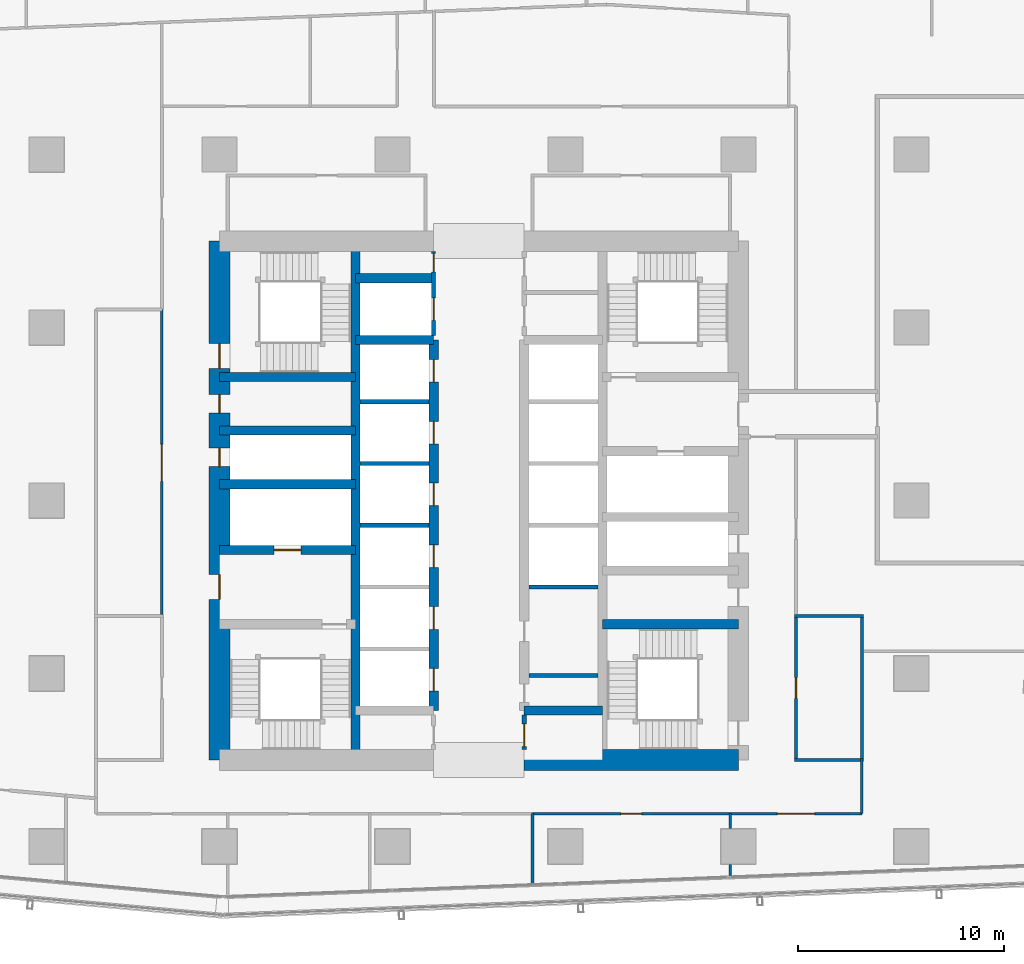
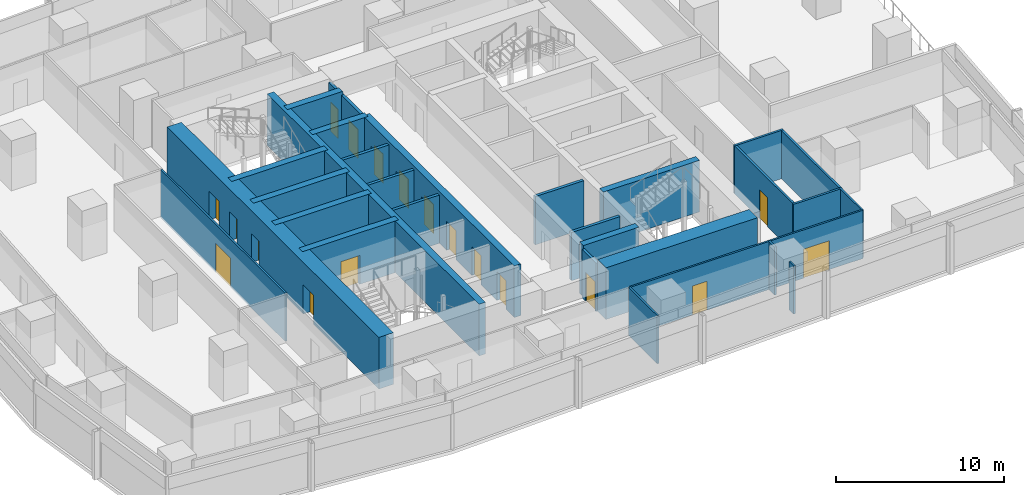
# One storey, part 29 of 40: 30 walls, 18 doors, 18 openings.
"""IFC4 building model written with IfcOpenShell, lengths in metres."""

from ifc_helpers import new_model, si_unit, direction, frame, frame_2d, origin, place, context, subcontext, project, spatial, rectangle, extrude, material, layer, layer_set, type_object, element, fill, save


model = new_model("IFC4")

# Units and contexts
model_context = context("Model", 3, precision=1e-05, world=origin(), true_north=direction((0.0, 1.0)))
body_context = subcontext(model_context, "Body", "Model", "MODEL_VIEW")
ifc_project = project(units=[si_unit("LENGTHUNIT", "METRE"), si_unit("AREAUNIT", "SQUARE_METRE"), si_unit("VOLUMEUNIT", "CUBIC_METRE"), si_unit("PLANEANGLEUNIT", "RADIAN"), si_unit("MASSUNIT", "GRAM", prefix="KILO")], contexts=[model_context])

# Site, building, storey
site_placement = place(None, origin())
site = spatial("IfcSite", under=ifc_project, at=site_placement, CompositionType="ELEMENT")
building_placement = place(site_placement, origin())
building = spatial("IfcBuilding", under=site, at=building_placement, Name="Rekha Terrace Tower", CompositionType="ELEMENT")
storey_placement = place(building_placement, frame((0.0, 0.0, 129.050048828125)))
storey = spatial("IfcBuildingStorey", under=building, at=storey_placement, Name="L32", CompositionType="ELEMENT", Elevation=129.050048828125)

# Wall
ifc_material_1 = material(Name="Concrete M70", Category="concrete")
ifc_layer_1 = layer(ifc_material_1, 0.449951171875)
ifc_layer_set_1 = layer_set([ifc_layer_1], Name="Concrete M70")
wall_type_1 = type_object("IfcWallType", Name="CI2 450 core internal shear wall", PredefinedType="SHEAR", material=ifc_layer_set_1)
wall_1_placement = place(storey_placement, frame((31.800048828125, 21.0, 0.0), z_axis=(0.0, 0.0, 1.0), x_axis=(0.0, 1.0, 0.0)))
element("IfcWall", 1, at=wall_1_placement, inside=storey, type_object=wall_type_1, Name="Core wall X318 L32", PredefinedType="SHEAR", context=body_context, shape_type="SweptSolid", body=[
    extrude(rectangle(XDim=25.199951171875, YDim=0.449951171875, at=frame_2d((12.60009765625, 0.0))), origin(), (0.0, 0.0, 1.0), 3.75),
])

# Wall, openings, doors
wall_2_placement = place(storey_placement, frame((35.60009765625, 23.39990234375, 0.0), z_axis=(0.0, 0.0, 1.0), x_axis=(0.0, 1.0, 0.0)))
wall_2 = element("IfcWall", 2, at=wall_2_placement, inside=storey, type_object=wall_type_1, Name="Core wall X356 L32", PredefinedType="SHEAR", context=body_context, shape_type="SweptSolid", body=[
    extrude(rectangle(XDim=18.0, YDim=0.449951171875, at=frame_2d((9.0, 0.0))), origin(), (0.0, 0.0, 1.0), 3.75),
])
opening_1_placement = place(wall_2_placement, frame((0.949951171875, 0.0, 0.0)))
opening_1 = element("IfcOpeningElement", 3, at=opening_1_placement, cuts=wall_2, Name="Opening LD1", PredefinedType="OPENING", context=body_context, shape_type="SweptSolid", body=[
    extrude(rectangle(XDim=1.10009765625, YDim=2.10009765625, at=frame_2d((0.550048828125, 1.050048828125))), frame((0.0, 0.23486328125, 0.0), z_axis=(0.0, -1.0, 0.0), x_axis=(1.0, 0.0, 0.0)), (0.0, 0.0, 1.0), 0.469970703125),
])
opening_2_placement = place(wall_2_placement, frame((3.949951171875, 0.0, 0.0)))
opening_2 = element("IfcOpeningElement", 4, at=opening_2_placement, cuts=wall_2, Name="Opening LD1", PredefinedType="OPENING", context=body_context, shape_type="SweptSolid", body=[
    extrude(rectangle(XDim=1.10009765625, YDim=2.10009765625, at=frame_2d((0.550048828125, 1.050048828125))), frame((0.0, 0.23486328125, 0.0), z_axis=(0.0, -1.0, 0.0), x_axis=(1.0, 0.0, 0.0)), (0.0, 0.0, 1.0), 0.469970703125),
])
opening_3_placement = place(wall_2_placement, frame((6.949951171875, 0.0, 0.0)))
opening_3 = element("IfcOpeningElement", 5, at=opening_3_placement, cuts=wall_2, Name="Opening LD1", PredefinedType="OPENING", context=body_context, shape_type="SweptSolid", body=[
    extrude(rectangle(XDim=1.10009765625, YDim=2.10009765625, at=frame_2d((0.550048828125, 1.050048828125))), frame((0.0, 0.23486328125, 0.0), z_axis=(0.0, -1.0, 0.0), x_axis=(1.0, 0.0, 0.0)), (0.0, 0.0, 1.0), 0.469970703125),
])
opening_4_placement = place(wall_2_placement, frame((9.949951171875, 0.0, 0.0)))
opening_4 = element("IfcOpeningElement", 6, at=opening_4_placement, cuts=wall_2, Name="Opening LD1", PredefinedType="OPENING", context=body_context, shape_type="SweptSolid", body=[
    extrude(rectangle(XDim=1.10009765625, YDim=2.10009765625, at=frame_2d((0.550048828125, 1.050048828125))), frame((0.0, 0.23486328125, 0.0), z_axis=(0.0, -1.0, 0.0), x_axis=(1.0, 0.0, 0.0)), (0.0, 0.0, 1.0), 0.469970703125),
])
opening_5_placement = place(wall_2_placement, frame((12.949951171875, 0.0, 0.0)))
opening_5 = element("IfcOpeningElement", 7, at=opening_5_placement, cuts=wall_2, Name="Opening LD1", PredefinedType="OPENING", context=body_context, shape_type="SweptSolid", body=[
    extrude(rectangle(XDim=1.10009765625, YDim=2.10009765625, at=frame_2d((0.550048828125, 1.050048828125))), frame((0.0, 0.23486328125, 0.0), z_axis=(0.0, -1.0, 0.0), x_axis=(1.0, 0.0, 0.0)), (0.0, 0.0, 1.0), 0.469970703125),
])
opening_6_placement = place(wall_2_placement, frame((15.949951171875, 0.0, 0.0)))
opening_6 = element("IfcOpeningElement", 8, at=opening_6_placement, cuts=wall_2, Name="Opening LD1", PredefinedType="OPENING", context=body_context, shape_type="SweptSolid", body=[
    extrude(rectangle(XDim=1.10009765625, YDim=2.10009765625, at=frame_2d((0.550048828125, 1.050048828125))), frame((0.0, 0.23486328125, 0.0), z_axis=(0.0, -1.0, 0.0), x_axis=(1.0, 0.0, 0.0)), (0.0, 0.0, 1.0), 0.469970703125),
])
ifc_material_2 = material(Name="Stainless steel sliding landing door", Category="steel")
door_type_1 = type_object("IfcDoorType", Name="LD1 1100x2100 lift landing door", OperationType="SLIDING_TO_LEFT", PredefinedType="USERDEFINED", material=ifc_material_2)
door_1_placement = place(opening_1_placement, origin())
door_1 = element("IfcDoor", 9, at=door_1_placement, inside=storey, type_object=door_type_1, Name="Lift B1 landing door L32", ObjectType="LIFT LANDING DOOR", OperationType="SLIDING_TO_LEFT", OverallHeight=2.10009765625, OverallWidth=1.10009765625, PredefinedType="USERDEFINED", context=body_context, shape_type="SweptSolid", body=[
    extrude(rectangle(XDim=1.10009765625, YDim=2.10009765625, at=frame_2d((0.550048828125, 1.050048828125))), frame((0.0, 0.02490234375, 0.0), z_axis=(0.0, -1.0, 0.0), x_axis=(1.0, 0.0, 0.0)), (0.0, 0.0, 1.0), 0.050048828125),
])
fill(opening_1, door_1)
door_2_placement = place(opening_2_placement, origin())
door_2 = element("IfcDoor", 10, at=door_2_placement, inside=storey, type_object=door_type_1, Name="Lift B2 landing door L32", ObjectType="LIFT LANDING DOOR", OperationType="SLIDING_TO_LEFT", OverallHeight=2.10009765625, OverallWidth=1.10009765625, PredefinedType="USERDEFINED", context=body_context, shape_type="SweptSolid", body=[
    extrude(rectangle(XDim=1.10009765625, YDim=2.10009765625, at=frame_2d((0.550048828125, 1.050048828125))), frame((0.0, 0.02490234375, 0.0), z_axis=(0.0, -1.0, 0.0), x_axis=(1.0, 0.0, 0.0)), (0.0, 0.0, 1.0), 0.050048828125),
])
fill(opening_2, door_2)
door_3_placement = place(opening_3_placement, origin())
door_3 = element("IfcDoor", 11, at=door_3_placement, inside=storey, type_object=door_type_1, Name="Lift B3 landing door L32", ObjectType="LIFT LANDING DOOR", OperationType="SLIDING_TO_LEFT", OverallHeight=2.10009765625, OverallWidth=1.10009765625, PredefinedType="USERDEFINED", context=body_context, shape_type="SweptSolid", body=[
    extrude(rectangle(XDim=1.10009765625, YDim=2.10009765625, at=frame_2d((0.550048828125, 1.050048828125))), frame((0.0, 0.02490234375, 0.0), z_axis=(0.0, -1.0, 0.0), x_axis=(1.0, 0.0, 0.0)), (0.0, 0.0, 1.0), 0.050048828125),
])
fill(opening_3, door_3)
door_4_placement = place(opening_4_placement, origin())
door_4 = element("IfcDoor", 12, at=door_4_placement, inside=storey, type_object=door_type_1, Name="Lift B4 landing door L32", ObjectType="LIFT LANDING DOOR", OperationType="SLIDING_TO_LEFT", OverallHeight=2.10009765625, OverallWidth=1.10009765625, PredefinedType="USERDEFINED", context=body_context, shape_type="SweptSolid", body=[
    extrude(rectangle(XDim=1.10009765625, YDim=2.10009765625, at=frame_2d((0.550048828125, 1.050048828125))), frame((0.0, 0.02490234375, 0.0), z_axis=(0.0, -1.0, 0.0), x_axis=(1.0, 0.0, 0.0)), (0.0, 0.0, 1.0), 0.050048828125),
])
fill(opening_4, door_4)
door_5_placement = place(opening_5_placement, origin())
door_5 = element("IfcDoor", 13, at=door_5_placement, inside=storey, type_object=door_type_1, Name="Lift B5 landing door L32", ObjectType="LIFT LANDING DOOR", OperationType="SLIDING_TO_LEFT", OverallHeight=2.10009765625, OverallWidth=1.10009765625, PredefinedType="USERDEFINED", context=body_context, shape_type="SweptSolid", body=[
    extrude(rectangle(XDim=1.10009765625, YDim=2.10009765625, at=frame_2d((0.550048828125, 1.050048828125))), frame((0.0, 0.02490234375, 0.0), z_axis=(0.0, -1.0, 0.0), x_axis=(1.0, 0.0, 0.0)), (0.0, 0.0, 1.0), 0.050048828125),
])
fill(opening_5, door_5)
door_6_placement = place(opening_6_placement, origin())
door_6 = element("IfcDoor", 14, at=door_6_placement, inside=storey, type_object=door_type_1, Name="Lift B6 landing door L32", ObjectType="LIFT LANDING DOOR", OperationType="SLIDING_TO_LEFT", OverallHeight=2.10009765625, OverallWidth=1.10009765625, PredefinedType="USERDEFINED", context=body_context, shape_type="SweptSolid", body=[
    extrude(rectangle(XDim=1.10009765625, YDim=2.10009765625, at=frame_2d((0.550048828125, 1.050048828125))), frame((0.0, 0.02490234375, 0.0), z_axis=(0.0, -1.0, 0.0), x_axis=(1.0, 0.0, 0.0)), (0.0, 0.0, 1.0), 0.050048828125),
])
fill(opening_6, door_6)

# Walls
for number, where, z_axis, x_axis, name in (
    (15, (31.800048828125, 41.39990234375, 0.0), (0.0, 0.0, 1.0), (1.0, 0.0, 0.0), "Core wall Y414W L32"),
    (16, (31.800048828125, 44.39990234375, 0.0), (0.0, 0.0, 1.0), (1.0, 0.0, 0.0), "Core wall Y444W L32"),
    (17, (40.0, 23.39990234375, 0.0), (0.0, 0.0, 1.0), (1.0, 0.0, 0.0), "Core wall Y234E L32"),
):
    element("IfcWall", number, at=place(storey_placement, frame(where, z_axis=z_axis, x_axis=x_axis)), inside=storey, type_object=wall_type_1, Name=name, PredefinedType="SHEAR", context=body_context, shape_type="SweptSolid", body=[
        extrude(rectangle(XDim=3.800048828125, YDim=0.449951171875, at=frame_2d((1.89990234375, 0.0))), origin(), (0.0, 0.0, 1.0), 3.75),
    ])

# Wall, opening, door
wall_3_placement = place(storey_placement, frame((25.199951171875, 31.199951171875, 0.0), z_axis=(0.0, 0.0, 1.0), x_axis=(1.0, 0.0, 0.0)))
wall_3 = element("IfcWall", 18, at=wall_3_placement, inside=storey, type_object=wall_type_1, Name="Core wall Y312W L32", PredefinedType="SHEAR", context=body_context, shape_type="SweptSolid", body=[
    extrude(rectangle(XDim=6.60009765625, YDim=0.449951171875, at=frame_2d((3.300048828125, 0.0))), origin(), (0.0, 0.0, 1.0), 3.75),
])
opening_7_placement = place(wall_3_placement, frame((2.64990234375, 0.0, 0.0)))
opening_7 = element("IfcOpeningElement", 19, at=opening_7_placement, cuts=wall_3, Name="Opening LD2", PredefinedType="OPENING", context=body_context, shape_type="SweptSolid", body=[
    extrude(rectangle(XDim=1.300048828125, YDim=2.10009765625, at=frame_2d((0.64990234375, 1.050048828125))), frame((0.0, 0.23486328125, 0.0), z_axis=(0.0, -1.0, 0.0), x_axis=(1.0, 0.0, 0.0)), (0.0, 0.0, 1.0), 0.469970703125),
])
door_type_2 = type_object("IfcDoorType", Name="LD2 1300x2100 fire lift landing door", OperationType="SLIDING_TO_LEFT", PredefinedType="USERDEFINED", material=ifc_material_2)
door_7_placement = place(opening_7_placement, origin())
door_7 = element("IfcDoor", 20, at=door_7_placement, inside=storey, type_object=door_type_2, Name="Lift FL1 landing door L32", ObjectType="LIFT LANDING DOOR", OperationType="SLIDING_TO_LEFT", OverallHeight=2.10009765625, OverallWidth=1.300048828125, PredefinedType="USERDEFINED", context=body_context, shape_type="SweptSolid", body=[
    extrude(rectangle(XDim=1.300048828125, YDim=2.10009765625, at=frame_2d((0.64990234375, 1.050048828125))), frame((0.0, 0.02490234375, 0.0), z_axis=(0.0, -1.0, 0.0), x_axis=(1.0, 0.0, 0.0)), (0.0, 0.0, 1.0), 0.050048828125),
])
fill(opening_7, door_7)

# Walls
for number, where, z_axis, x_axis, name in (
    (21, (25.199951171875, 34.39990234375, 0.0), (0.0, 0.0, 1.0), (1.0, 0.0, 0.0), "Core wall Y344W L32"),
    (22, (25.199951171875, 37.0, 0.0), (0.0, 0.0, 1.0), (1.0, 0.0, 0.0), "Core wall Y370W L32"),
    (23, (25.199951171875, 39.60009765625, 0.0), (0.0, 0.0, 1.0), (1.0, 0.0, 0.0), "Core wall Y396W L32"),
):
    element("IfcWall", number, at=place(storey_placement, frame(where, z_axis=z_axis, x_axis=x_axis)), inside=storey, type_object=wall_type_1, Name=name, PredefinedType="SHEAR", context=body_context, shape_type="SweptSolid", body=[
        extrude(rectangle(XDim=6.60009765625, YDim=0.449951171875, at=frame_2d((3.300048828125, 0.0))), origin(), (0.0, 0.0, 1.0), 3.75),
    ])
wall_4_placement = place(storey_placement, frame((43.800048828125, 27.60009765625, 0.0), z_axis=(0.0, 0.0, 1.0), x_axis=(1.0, 0.0, 0.0)))
element("IfcWall", 24, at=wall_4_placement, inside=storey, type_object=wall_type_1, Name="Core wall Y276E L32", PredefinedType="SHEAR", context=body_context, shape_type="SweptSolid", body=[
    extrude(rectangle(XDim=6.599853515625, YDim=0.449951171875, at=frame_2d((3.2998046875, 0.0))), origin(), (0.0, 0.0, 1.0), 3.75),
])
ifc_layer_2 = layer(ifc_material_1, 1.0)
ifc_layer_set_2 = layer_set([ifc_layer_2], Name="Concrete M70")
wall_type_2 = type_object("IfcWallType", Name="SW2 1000 core outer shear wall", PredefinedType="SHEAR", material=ifc_layer_set_2)
wall_5_placement = place(storey_placement, frame((40.0, 21.0, 0.0), z_axis=(0.0, 0.0, 1.0), x_axis=(1.0, 0.0, 0.0)))
element("IfcWall", 25, at=wall_5_placement, inside=storey, type_object=wall_type_2, Name="Core wall S2 L32", PredefinedType="SHEAR", context=body_context, shape_type="SweptSolid", body=[
    extrude(rectangle(XDim=10.39990234375, YDim=1.0, at=frame_2d((5.199951171875, 0.0))), origin(), (0.0, 0.0, 1.0), 3.75),
])

# Wall, openings, doors
wall_6_placement = place(storey_placement, frame((25.199951171875, 21.0, 0.0), z_axis=(0.0, 0.0, 1.0), x_axis=(0.0, 1.0, 0.0)))
wall_6 = element("IfcWall", 26, at=wall_6_placement, inside=storey, type_object=wall_type_2, Name="Core wall W L32", PredefinedType="SHEAR", context=body_context, shape_type="SweptSolid", body=[
    extrude(rectangle(XDim=25.199951171875, YDim=1.0, at=frame_2d((12.60009765625, 0.0))), origin(), (0.0, 0.0, 1.0), 3.75),
])
opening_8_placement = place(wall_6_placement, frame((7.800048828125, 0.0, 0.0)))
opening_8 = element("IfcOpeningElement", 27, at=opening_8_placement, cuts=wall_6, Name="Opening D2", PredefinedType="OPENING", context=body_context, shape_type="SweptSolid", body=[
    extrude(rectangle(XDim=1.199951171875, YDim=2.10009765625, at=frame_2d((0.60009765625, 1.050048828125))), frame((0.0, 0.510009765625, 0.0), z_axis=(0.0, -1.0, 0.0), x_axis=(1.0, 0.0, 0.0)), (0.0, 0.0, 1.0), 1.02001953125),
])
opening_9_placement = place(wall_6_placement, frame((14.25, 0.0, 0.0)))
opening_9 = element("IfcOpeningElement", 28, at=opening_9_placement, cuts=wall_6, Name="Opening D5", PredefinedType="OPENING", context=body_context, shape_type="SweptSolid", body=[
    extrude(rectangle(XDim=0.89990234375, YDim=2.10009765625, at=frame_2d((0.449951171875, 1.050048828125))), frame((0.0, 0.510009765625, 0.0), z_axis=(0.0, -1.0, 0.0), x_axis=(1.0, 0.0, 0.0)), (0.0, 0.0, 1.0), 1.02001953125),
])
opening_10_placement = place(wall_6_placement, frame((16.85009765625, 0.0, 0.0)))
opening_10 = element("IfcOpeningElement", 29, at=opening_10_placement, cuts=wall_6, Name="Opening D5", PredefinedType="OPENING", context=body_context, shape_type="SweptSolid", body=[
    extrude(rectangle(XDim=0.89990234375, YDim=2.10009765625, at=frame_2d((0.449951171875, 1.050048828125))), frame((0.0, 0.510009765625, 0.0), z_axis=(0.0, -1.0, 0.0), x_axis=(1.0, 0.0, 0.0)), (0.0, 0.0, 1.0), 1.02001953125),
])
opening_11_placement = place(wall_6_placement, frame((19.02490234375, 0.0, 0.0)))
opening_11 = element("IfcOpeningElement", 30, at=opening_11_placement, cuts=wall_6, Name="Opening D1", PredefinedType="OPENING", context=body_context, shape_type="SweptSolid", body=[
    extrude(rectangle(XDim=1.199951171875, YDim=2.10009765625, at=frame_2d((0.60009765625, 1.050048828125))), frame((0.0, 0.510009765625, 0.0), z_axis=(0.0, -1.0, 0.0), x_axis=(1.0, 0.0, 0.0)), (0.0, 0.0, 1.0), 1.02001953125),
])
ifc_material_3 = material(Name="Steel fire door", Category="steel")
door_type_3 = type_object("IfcDoorType", Name="D1 1200x2100 stair fire door", OperationType="SINGLE_SWING_RIGHT", PredefinedType="DOOR", material=ifc_material_3)
door_8_placement = place(opening_11_placement, origin())
door_8 = element("IfcDoor", 31, at=door_8_placement, inside=storey, type_object=door_type_3, Name="Stair ST4 door L32", OperationType="SINGLE_SWING_RIGHT", OverallHeight=2.10009765625, OverallWidth=1.199951171875, PredefinedType="DOOR", context=body_context, shape_type="SweptSolid", body=[
    extrude(rectangle(XDim=1.199951171875, YDim=2.10009765625, at=frame_2d((0.60009765625, 1.050048828125))), frame((0.0, 0.02490234375, 0.0), z_axis=(0.0, -1.0, 0.0), x_axis=(1.0, 0.0, 0.0)), (0.0, 0.0, 1.0), 0.050048828125),
])
fill(opening_11, door_8)
door_type_4 = type_object("IfcDoorType", Name="D2 1200x2100 firefighting lobby door", OperationType="SINGLE_SWING_LEFT", PredefinedType="DOOR", material=ifc_material_3)
door_9_placement = place(opening_8_placement, origin())
door_9 = element("IfcDoor", 32, at=door_9_placement, inside=storey, type_object=door_type_4, Name="Door flb1 L32", OperationType="SINGLE_SWING_LEFT", OverallHeight=2.10009765625, OverallWidth=1.199951171875, PredefinedType="DOOR", context=body_context, shape_type="SweptSolid", body=[
    extrude(rectangle(XDim=1.199951171875, YDim=2.10009765625, at=frame_2d((0.60009765625, 1.050048828125))), frame((0.0, 0.02490234375, 0.0), z_axis=(0.0, -1.0, 0.0), x_axis=(1.0, 0.0, 0.0)), (0.0, 0.0, 1.0), 0.050048828125),
])
fill(opening_8, door_9)
door_type_5 = type_object("IfcDoorType", Name="D5 900x2100 riser access door", OperationType="SINGLE_SWING_LEFT", PredefinedType="DOOR", material=ifc_material_3)
door_10_placement = place(opening_9_placement, origin())
door_10 = element("IfcDoor", 33, at=door_10_placement, inside=storey, type_object=door_type_5, Name="Door rs1 L32", OperationType="SINGLE_SWING_LEFT", OverallHeight=2.10009765625, OverallWidth=0.89990234375, PredefinedType="DOOR", context=body_context, shape_type="SweptSolid", body=[
    extrude(rectangle(XDim=0.89990234375, YDim=2.10009765625, at=frame_2d((0.449951171875, 1.050048828125))), frame((0.0, 0.02490234375, 0.0), z_axis=(0.0, -1.0, 0.0), x_axis=(1.0, 0.0, 0.0)), (0.0, 0.0, 1.0), 0.050048828125),
])
fill(opening_9, door_10)
door_11_placement = place(opening_10_placement, origin())
door_11 = element("IfcDoor", 34, at=door_11_placement, inside=storey, type_object=door_type_5, Name="Door elw L32", OperationType="SINGLE_SWING_LEFT", OverallHeight=2.10009765625, OverallWidth=0.89990234375, PredefinedType="DOOR", context=body_context, shape_type="SweptSolid", body=[
    extrude(rectangle(XDim=0.89990234375, YDim=2.10009765625, at=frame_2d((0.449951171875, 1.050048828125))), frame((0.0, 0.02490234375, 0.0), z_axis=(0.0, -1.0, 0.0), x_axis=(1.0, 0.0, 0.0)), (0.0, 0.0, 1.0), 0.050048828125),
])
fill(opening_10, door_11)

# Walls
ifc_material_4 = material(Name="Concrete block masonry, 1 hour", Category="masonry")
ifc_layer_3 = layer(ifc_material_4, 0.14990234375)
ifc_layer_set_3 = layer_set([ifc_layer_3], Name="Concrete block masonry, 1 hour")
wall_type_3 = type_object("IfcWallType", Name="WP2 150 tenancy partition", PredefinedType="PARTITIONING", material=ifc_layer_set_3)
for number, where, z_axis, x_axis, name in (
    (35, (53.125, 21.0, 0.0), (0.0, 0.0, 1.0), (1.0, 0.0, 0.0), "Men's WC wall L32"),
    (36, (53.125, 28.0, 0.0), (0.0, 0.0, 1.0), (1.0, 0.0, 0.0), "Men's WC wall L32"),
):
    element("IfcWall", number, at=place(storey_placement, frame(where, z_axis=z_axis, x_axis=x_axis)), inside=storey, type_object=wall_type_3, Name=name, PredefinedType="PARTITIONING", context=body_context, shape_type="SweptSolid", body=[
        extrude(rectangle(XDim=3.35009765625, YDim=0.14990234375, at=frame_2d((1.675048828125, 0.0))), origin(), (0.0, 0.0, 1.0), 3.5),
    ])

# Wall, opening, door
wall_7_placement = place(storey_placement, frame((53.199951171875, 21.074951171875, 0.0), z_axis=(0.0, 0.0, 1.0), x_axis=(0.0, 1.0, 0.0)))
wall_7 = element("IfcWall", 37, at=wall_7_placement, inside=storey, type_object=wall_type_3, Name="Men's WC wall L32", PredefinedType="PARTITIONING", context=body_context, shape_type="SweptSolid", body=[
    extrude(rectangle(XDim=6.85009765625, YDim=0.14990234375, at=frame_2d((3.425048828125, 0.0))), origin(), (0.0, 0.0, 1.0), 3.5),
])
opening_12_placement = place(wall_7_placement, frame((2.925048828125, 0.0, 0.0)))
opening_12 = element("IfcOpeningElement", 38, at=opening_12_placement, cuts=wall_7, Name="Opening D3", PredefinedType="OPENING", context=body_context, shape_type="SweptSolid", body=[
    extrude(rectangle(XDim=1.0, YDim=2.10009765625, at=frame_2d((0.5, 1.050048828125))), frame((0.0, 0.0849609375, 0.0), z_axis=(0.0, -1.0, 0.0), x_axis=(1.0, 0.0, 0.0)), (0.0, 0.0, 1.0), 0.169921875),
])
ifc_material_5 = material(Name="Laminated timber fire door", Category="wood")
door_type_6 = type_object("IfcDoorType", Name="D3 1000x2100 WC door", OperationType="SINGLE_SWING_LEFT", PredefinedType="DOOR", material=ifc_material_5)
door_12_placement = place(opening_12_placement, origin())
door_12 = element("IfcDoor", 39, at=door_12_placement, inside=storey, type_object=door_type_6, Name="Door men's wc L32", OperationType="SINGLE_SWING_LEFT", OverallHeight=2.10009765625, OverallWidth=1.0, PredefinedType="DOOR", context=body_context, shape_type="SweptSolid", body=[
    extrude(rectangle(XDim=1.0, YDim=2.10009765625, at=frame_2d((0.5, 1.050048828125))), frame((0.0, 0.02490234375, 0.0), z_axis=(0.0, -1.0, 0.0), x_axis=(1.0, 0.0, 0.0)), (0.0, 0.0, 1.0), 0.050048828125),
])
fill(opening_12, door_12)

# Walls
wall_8_placement = place(storey_placement, frame((56.39990234375, 21.074951171875, 0.0), z_axis=(0.0, 0.0, 1.0), x_axis=(0.0, 1.0, 0.0)))
element("IfcWall", 40, at=wall_8_placement, inside=storey, type_object=wall_type_3, Name="Men's WC wall L32", PredefinedType="PARTITIONING", context=body_context, shape_type="SweptSolid", body=[
    extrude(rectangle(XDim=6.85009765625, YDim=0.14990234375, at=frame_2d((3.425048828125, 0.0))), origin(), (0.0, 0.0, 1.0), 3.5),
])
ifc_material_6 = material(Name="Two layers of fire-rated gypsum board each side on steel studs, acoustic quilt, 1 hour", Category="steel")
ifc_layer_4 = layer(ifc_material_6, 0.125)
ifc_layer_set_4 = layer_set([ifc_layer_4], Name="Two layers of fire-rated gypsum board each side on steel studs, acoustic quilt, 1 hour")
wall_type_4 = type_object("IfcWallType", Name="WP3 125 office partition", PredefinedType="PARTITIONING", material=ifc_layer_set_4)
wall_9_placement = place(storey_placement, frame((40.40087890625, 14.998046875, 0.0), z_axis=(0.0, 0.0, 1.0), x_axis=(0.0, 1.0, 0.0)))
element("IfcWall", 41, at=wall_9_placement, inside=storey, type_object=wall_type_4, Name="Partition L32-11", PredefinedType="PARTITIONING", context=body_context, shape_type="SweptSolid", body=[
    extrude(rectangle(XDim=3.40185546875, YDim=0.125, at=frame_2d((1.700927734375, 0.0))), origin(), (0.0, 0.0, 1.0), 3.5),
])

# Wall, opening, door
wall_10_placement = place(storey_placement, frame((40.40087890625, 18.39990234375, 0.0), z_axis=(0.0, 0.0, 1.0), x_axis=(1.0, 0.0, 0.0)))
wall_10 = element("IfcWall", 42, at=wall_10_placement, inside=storey, type_object=wall_type_4, Name="Partition L32-11", PredefinedType="PARTITIONING", context=body_context, shape_type="SweptSolid", body=[
    extrude(rectangle(XDim=9.59716796875, YDim=0.125, at=frame_2d((4.798583984375, 0.0))), origin(), (0.0, 0.0, 1.0), 3.5),
])
opening_13_placement = place(wall_10_placement, frame((4.298095703125, 0.0, 0.0)))
opening_13 = element("IfcOpeningElement", 43, at=opening_13_placement, cuts=wall_10, Name="Opening D9", PredefinedType="OPENING", context=body_context, shape_type="SweptSolid", body=[
    extrude(rectangle(XDim=1.0, YDim=2.10009765625, at=frame_2d((0.5, 1.050048828125))), frame((0.0, 0.072509765625, 0.0), z_axis=(0.0, -1.0, 0.0), x_axis=(1.0, 0.0, 0.0)), (0.0, 0.0, 1.0), 0.14501953125),
])
ifc_material_7 = material(Name="Timber fire door", Category="wood")
door_type_7 = type_object("IfcDoorType", Name="D9 1000x2100 office door", OperationType="SINGLE_SWING_LEFT", PredefinedType="DOOR", material=ifc_material_7)
door_13_placement = place(opening_13_placement, origin())
door_13 = element("IfcDoor", 44, at=door_13_placement, inside=storey, type_object=door_type_7, Name="Door office L32", OperationType="SINGLE_SWING_LEFT", OverallHeight=2.10009765625, OverallWidth=1.0, PredefinedType="DOOR", context=body_context, shape_type="SweptSolid", body=[
    extrude(rectangle(XDim=1.0, YDim=2.10009765625, at=frame_2d((0.5, 1.050048828125))), frame((0.0, 0.02490234375, 0.0), z_axis=(0.0, -1.0, 0.0), x_axis=(1.0, 0.0, 0.0)), (0.0, 0.0, 1.0), 0.050048828125),
])
fill(opening_13, door_13)

# Walls
wall_11_placement = place(storey_placement, frame((49.998046875, 18.39990234375, 0.0), z_axis=(0.0, 0.0, 1.0), x_axis=(0.0, -1.0, 0.0)))
element("IfcWall", 45, at=wall_11_placement, inside=storey, type_object=wall_type_4, Name="Partition L32-11", PredefinedType="PARTITIONING", context=body_context, shape_type="SweptSolid", body=[
    extrude(rectangle(XDim=0.72998046875, YDim=0.125, at=frame_2d((0.364990234375, 0.0))), origin(), (0.0, 0.0, 1.0), 3.5),
])
wall_12_placement = place(storey_placement, frame((49.998046875, 15.929931640625, 0.0), z_axis=(0.0, 0.0, 1.0), x_axis=(0.0, -1.0, 0.0)))
element("IfcWall", 46, at=wall_12_placement, inside=storey, type_object=wall_type_4, Name="Partition L32-11", PredefinedType="PARTITIONING", context=body_context, shape_type="SweptSolid", body=[
    extrude(rectangle(XDim=0.529052734375, YDim=0.125, at=frame_2d((0.2646484375, 0.0))), origin(), (0.0, 0.0, 1.0), 3.5),
])

# Wall, opening, door
wall_13_placement = place(storey_placement, frame((49.998046875, 18.39990234375, 0.0), z_axis=(0.0, 0.0, 1.0), x_axis=(1.0, 0.0, 0.0)))
wall_13 = element("IfcWall", 47, at=wall_13_placement, inside=storey, type_object=wall_type_4, Name="Partition L32-12", PredefinedType="PARTITIONING", context=body_context, shape_type="SweptSolid", body=[
    extrude(rectangle(XDim=6.40185546875, YDim=0.125, at=frame_2d((3.200927734375, 0.0))), origin(), (0.0, 0.0, 1.0), 3.5),
])
opening_14_placement = place(wall_13_placement, frame((2.301025390625, 0.0, 0.0)))
opening_14 = element("IfcOpeningElement", 48, at=opening_14_placement, cuts=wall_13, Name="Opening D8", PredefinedType="OPENING", context=body_context, shape_type="SweptSolid", body=[
    extrude(rectangle(XDim=1.800048828125, YDim=2.10009765625, at=frame_2d((0.89990234375, 1.050048828125))), frame((0.0, 0.072509765625, 0.0), z_axis=(0.0, -1.0, 0.0), x_axis=(1.0, 0.0, 0.0)), (0.0, 0.0, 1.0), 0.14501953125),
])
door_type_8 = type_object("IfcDoorType", Name="D8 1800x2100 double leaf door", OperationType="DOUBLE_DOOR_SINGLE_SWING", PredefinedType="DOOR", material=ifc_material_7)
door_14_placement = place(opening_14_placement, origin())
door_14 = element("IfcDoor", 49, at=door_14_placement, inside=storey, type_object=door_type_8, Name="Door reference library L32", OperationType="DOUBLE_DOOR_SINGLE_SWING", OverallHeight=2.10009765625, OverallWidth=1.800048828125, PredefinedType="DOOR", context=body_context, shape_type="SweptSolid", body=[
    extrude(rectangle(XDim=1.800048828125, YDim=2.10009765625, at=frame_2d((0.89990234375, 1.050048828125))), frame((0.0, 0.02490234375, 0.0), z_axis=(0.0, -1.0, 0.0), x_axis=(1.0, 0.0, 0.0)), (0.0, 0.0, 1.0), 0.050048828125),
])
fill(opening_14, door_14)

# Wall
wall_14_placement = place(storey_placement, frame((56.39990234375, 18.39990234375, 0.0), z_axis=(0.0, 0.0, 1.0), x_axis=(0.0, 1.0, 0.0)))
element("IfcWall", 50, at=wall_14_placement, inside=storey, type_object=wall_type_4, Name="Partition L32-12", PredefinedType="PARTITIONING", context=body_context, shape_type="SweptSolid", body=[
    extrude(rectangle(XDim=2.675048828125, YDim=0.125, at=frame_2d((1.33740234375, 0.0))), origin(), (0.0, 0.0, 1.0), 3.5),
])

# Wall, opening, door
wall_15_placement = place(storey_placement, frame((22.39990234375, 42.8720703125, 0.0), z_axis=(0.0, 0.0, 1.0), x_axis=(0.0, -1.0, 0.0)))
wall_15 = element("IfcWall", 51, at=wall_15_placement, inside=storey, type_object=wall_type_4, Name="Partition L32-20", PredefinedType="PARTITIONING", context=body_context, shape_type="SweptSolid", body=[
    extrude(rectangle(XDim=14.797119140625, YDim=0.125, at=frame_2d((7.3984375, 0.0))), origin(), (0.0, 0.0, 1.0), 3.5),
])
opening_15_placement = place(wall_15_placement, frame((6.535888671875, 0.0, 0.0)))
opening_15 = element("IfcOpeningElement", 52, at=opening_15_placement, cuts=wall_15, Name="Opening D8", PredefinedType="OPENING", context=body_context, shape_type="SweptSolid", body=[
    extrude(rectangle(XDim=1.800048828125, YDim=2.10009765625, at=frame_2d((0.89990234375, 1.050048828125))), frame((0.0, 0.072509765625, 0.0), z_axis=(0.0, -1.0, 0.0), x_axis=(1.0, 0.0, 0.0)), (0.0, 0.0, 1.0), 0.14501953125),
])
door_15_placement = place(opening_15_placement, origin())
door_15 = element("IfcDoor", 53, at=door_15_placement, inside=storey, type_object=door_type_8, Name="Door reception L32", OperationType="DOUBLE_DOOR_SINGLE_SWING", OverallHeight=2.10009765625, OverallWidth=1.800048828125, PredefinedType="DOOR", context=body_context, shape_type="SweptSolid", body=[
    extrude(rectangle(XDim=1.800048828125, YDim=2.10009765625, at=frame_2d((0.89990234375, 1.050048828125))), frame((0.0, 0.02490234375, 0.0), z_axis=(0.0, -1.0, 0.0), x_axis=(1.0, 0.0, 0.0)), (0.0, 0.0, 1.0), 0.050048828125),
])
fill(opening_15, door_15)

# Walls
ifc_material_8 = material(Name="Solid concrete block masonry, 2 hour", Category="masonry")
ifc_layer_5 = layer(ifc_material_8, 0.199951171875)
ifc_layer_set_5 = layer_set([ifc_layer_5], Name="Solid concrete block masonry, 2 hour")
wall_type_5 = type_object("IfcWallType", Name="WS1 200 stair and shaft enclosure", PredefinedType="PARTITIONING", material=ifc_layer_set_5)
for number, where, z_axis, x_axis, name in (
    (54, (32.02490234375, 32.39990234375, 0.0), (0.0, 0.0, 1.0), (1.0, 0.0, 0.0), "Lift shaft divider L32"),
    (55, (32.02490234375, 35.39990234375, 0.0), (0.0, 0.0, 1.0), (1.0, 0.0, 0.0), "Lift shaft divider L32"),
    (56, (32.02490234375, 38.39990234375, 0.0), (0.0, 0.0, 1.0), (1.0, 0.0, 0.0), "Lift shaft divider L32"),
):
    element("IfcWall", number, at=place(storey_placement, frame(where, z_axis=z_axis, x_axis=x_axis)), inside=storey, type_object=wall_type_5, Name=name, PredefinedType="PARTITIONING", context=body_context, shape_type="SweptSolid", body=[
        extrude(rectangle(XDim=3.35009765625, YDim=0.199951171875, at=frame_2d((1.675048828125, 0.0))), origin(), (0.0, 0.0, 1.0), 3.5),
    ])
wall_16_placement = place(storey_placement, frame((40.22509765625, 29.39990234375, 0.0), z_axis=(0.0, 0.0, 1.0), x_axis=(1.0, 0.0, 0.0)))
element("IfcWall", 57, at=wall_16_placement, inside=storey, type_object=wall_type_5, Name="Lift shaft divider L32", PredefinedType="PARTITIONING", context=body_context, shape_type="SweptSolid", body=[
    extrude(rectangle(XDim=3.349853515625, YDim=0.199951171875, at=frame_2d((1.6748046875, 0.0))), origin(), (0.0, 0.0, 1.0), 3.5),
])

# Wall, opening, door
wall_17_placement = place(storey_placement, frame((40.0, 21.5, 0.0), z_axis=(0.0, 0.0, 1.0), x_axis=(0.0, 1.0, 0.0)))
wall_17 = element("IfcWall", 58, at=wall_17_placement, inside=storey, type_object=wall_type_5, Name="Core partition wca L32", PredefinedType="PARTITIONING", context=body_context, shape_type="SweptSolid", body=[
    extrude(rectangle(XDim=1.675048828125, YDim=0.199951171875, at=frame_2d((0.83740234375, 0.0))), origin(), (0.0, 0.0, 1.0), 3.5),
])
opening_16_placement = place(wall_17_placement, frame((0.14990234375, 0.0, 0.0)))
opening_16 = element("IfcOpeningElement", 59, at=opening_16_placement, cuts=wall_17, Name="Opening D4", PredefinedType="OPENING", context=body_context, shape_type="SweptSolid", body=[
    extrude(rectangle(XDim=1.10009765625, YDim=2.10009765625, at=frame_2d((0.550048828125, 1.050048828125))), frame((0.0, 0.10986328125, 0.0), z_axis=(0.0, -1.0, 0.0), x_axis=(1.0, 0.0, 0.0)), (0.0, 0.0, 1.0), 0.219970703125),
])
door_type_9 = type_object("IfcDoorType", Name="D4 1100x2100 accessible WC door", OperationType="SLIDING_TO_LEFT", PredefinedType="DOOR", material=ifc_material_5)
door_16_placement = place(opening_16_placement, origin())
door_16 = element("IfcDoor", 60, at=door_16_placement, inside=storey, type_object=door_type_9, Name="Door wca L32", OperationType="SLIDING_TO_LEFT", OverallHeight=2.10009765625, OverallWidth=1.10009765625, PredefinedType="DOOR", context=body_context, shape_type="SweptSolid", body=[
    extrude(rectangle(XDim=1.10009765625, YDim=2.10009765625, at=frame_2d((0.550048828125, 1.050048828125))), frame((0.0, 0.02490234375, 0.0), z_axis=(0.0, -1.0, 0.0), x_axis=(1.0, 0.0, 0.0)), (0.0, 0.0, 1.0), 0.050048828125),
])
fill(opening_16, door_16)

# Wall, openings, doors
wall_18_placement = place(storey_placement, frame((35.60009765625, 41.625, 0.0), z_axis=(0.0, 0.0, 1.0), x_axis=(0.0, 1.0, 0.0)))
wall_18 = element("IfcWall", 61, at=wall_18_placement, inside=storey, type_object=wall_type_5, Name="Core partition jansv L32", PredefinedType="PARTITIONING", context=body_context, shape_type="SweptSolid", body=[
    extrude(rectangle(XDim=4.074951171875, YDim=0.199951171875, at=frame_2d((2.03759765625, 0.0))), origin(), (0.0, 0.0, 1.0), 3.5),
])
opening_17_placement = place(wall_18_placement, frame((3.087890625, 0.0, 0.0)))
opening_17 = element("IfcOpeningElement", 62, at=opening_17_placement, cuts=wall_18, Name="Opening D5", PredefinedType="OPENING", context=body_context, shape_type="SweptSolid", body=[
    extrude(rectangle(XDim=0.89990234375, YDim=2.10009765625, at=frame_2d((0.449951171875, 1.050048828125))), frame((0.0, 0.10986328125, 0.0), z_axis=(0.0, -1.0, 0.0), x_axis=(1.0, 0.0, 0.0)), (0.0, 0.0, 1.0), 0.219970703125),
])
opening_18_placement = place(wall_18_placement, frame((0.72509765625, 0.0, 0.0)))
opening_18 = element("IfcOpeningElement", 63, at=opening_18_placement, cuts=wall_18, Name="Opening LD1", PredefinedType="OPENING", context=body_context, shape_type="SweptSolid", body=[
    extrude(rectangle(XDim=1.10009765625, YDim=2.10009765625, at=frame_2d((0.550048828125, 1.050048828125))), frame((0.0, 0.10986328125, 0.0), z_axis=(0.0, -1.0, 0.0), x_axis=(1.0, 0.0, 0.0)), (0.0, 0.0, 1.0), 0.219970703125),
])
door_17_placement = place(opening_17_placement, origin())
door_17 = element("IfcDoor", 64, at=door_17_placement, inside=storey, type_object=door_type_5, Name="Door janitor room L32", OperationType="SINGLE_SWING_LEFT", OverallHeight=2.10009765625, OverallWidth=0.89990234375, PredefinedType="DOOR", context=body_context, shape_type="SweptSolid", body=[
    extrude(rectangle(XDim=0.89990234375, YDim=2.10009765625, at=frame_2d((0.449951171875, 1.050048828125))), frame((0.0, 0.02490234375, 0.0), z_axis=(0.0, -1.0, 0.0), x_axis=(1.0, 0.0, 0.0)), (0.0, 0.0, 1.0), 0.050048828125),
])
fill(opening_17, door_17)
door_18_placement = place(opening_18_placement, origin())
door_18 = element("IfcDoor", 65, at=door_18_placement, inside=storey, type_object=door_type_1, Name="Lift SV1 landing door L32", ObjectType="LIFT LANDING DOOR", OperationType="SLIDING_TO_LEFT", OverallHeight=2.10009765625, OverallWidth=1.10009765625, PredefinedType="USERDEFINED", context=body_context, shape_type="SweptSolid", body=[
    extrude(rectangle(XDim=1.10009765625, YDim=2.10009765625, at=frame_2d((0.550048828125, 1.050048828125))), frame((0.0, 0.02490234375, 0.0), z_axis=(0.0, -1.0, 0.0), x_axis=(1.0, 0.0, 0.0)), (0.0, 0.0, 1.0), 0.050048828125),
])
fill(opening_18, door_18)

# Wall
wall_19_placement = place(storey_placement, frame((40.22509765625, 25.10009765625, 0.0), z_axis=(0.0, 0.0, 1.0), x_axis=(1.0, 0.0, 0.0)))
element("IfcWall", 66, at=wall_19_placement, inside=storey, type_object=wall_type_5, Name="Core partition freed shafts L32", PredefinedType="PARTITIONING", context=body_context, shape_type="SweptSolid", body=[
    extrude(rectangle(XDim=3.349853515625, YDim=0.199951171875, at=frame_2d((1.6748046875, 0.0))), origin(), (0.0, 0.0, 1.0), 3.5),
])

save(model, "model.ifc")
